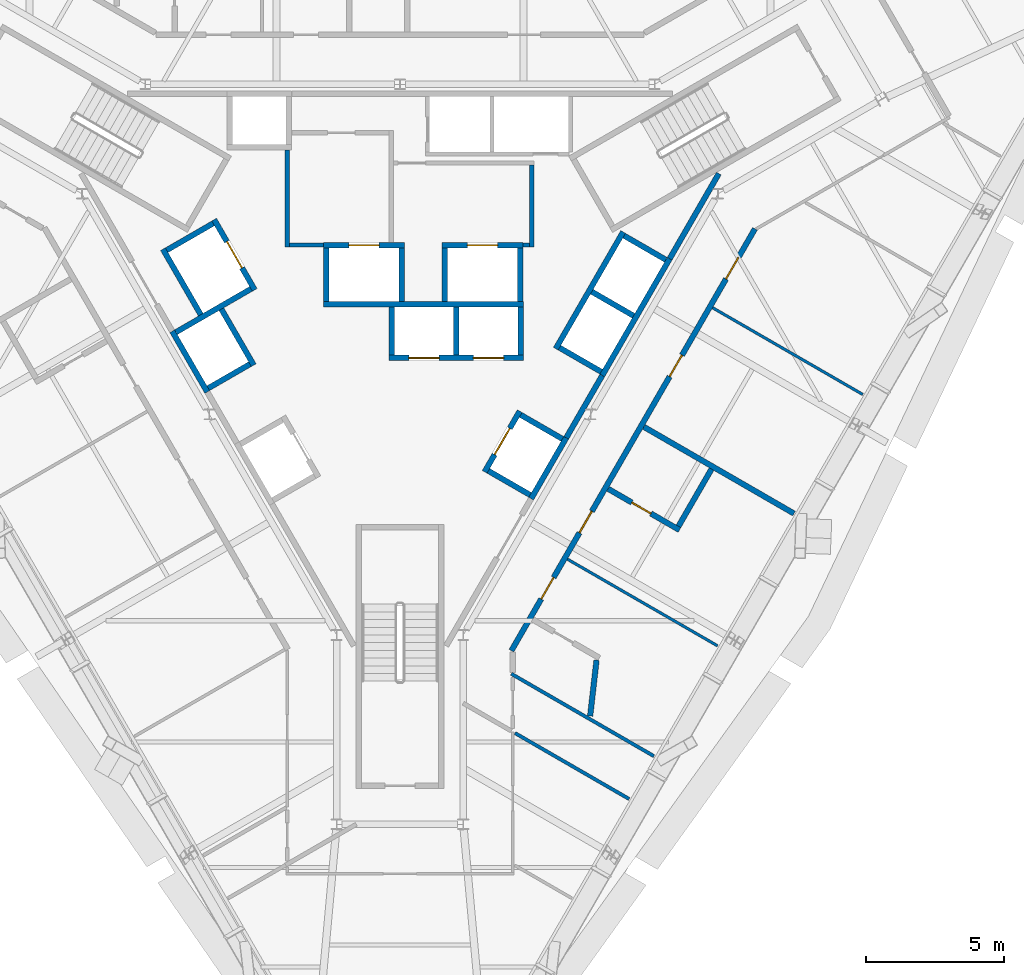
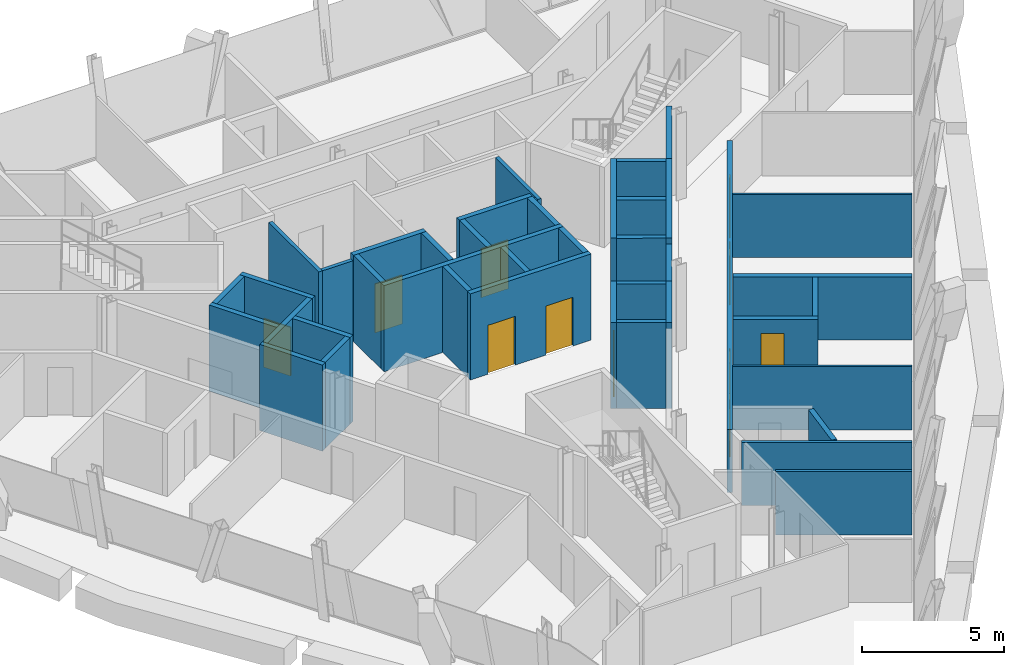
# One storey, part 9 of 13: 42 walls, 11 doors, 11 openings.
"""IFC4 building model written with IfcOpenShell, lengths in metres."""

from ifc_helpers import new_model, si_unit, direction, frame, frame_2d, origin, place, context, subcontext, project, spatial, rectangle, extrude, material, layer, layer_set, type_object, element, fill, save


model = new_model("IFC4")

# Units and contexts
model_context = context("Model", 3, precision=1e-05, world=origin(), true_north=direction((0.0, 1.0)))
body_context = subcontext(model_context, "Body", "Model", "MODEL_VIEW")
ifc_project = project(units=[si_unit("LENGTHUNIT", "METRE"), si_unit("AREAUNIT", "SQUARE_METRE"), si_unit("VOLUMEUNIT", "CUBIC_METRE"), si_unit("PLANEANGLEUNIT", "RADIAN"), si_unit("MASSUNIT", "GRAM", prefix="KILO")], contexts=[model_context])

# Site, building, storey
site_placement = place(None, origin())
site = spatial("IfcSite", under=ifc_project, at=site_placement, CompositionType="ELEMENT")
building_placement = place(site_placement, origin())
building = spatial("IfcBuilding", under=site, at=building_placement, Name="Verrane Prism Tower", CompositionType="ELEMENT")
storey_placement = place(building_placement, frame((0.0, 0.0, 243.39990234375)))
storey = spatial("IfcBuildingStorey", under=building, at=storey_placement, Name="L61", CompositionType="ELEMENT", Elevation=243.39990234375)

# Walls
ifc_material_1 = material(Name="Gypsum board partition", Category="other")
ifc_layer_1 = layer(ifc_material_1, 0.199951171875)
ifc_layer_set_1 = layer_set([ifc_layer_1], Name="CW-200 core boundary wall 2 h")
wall_type_1 = type_object("IfcWallType", Name="CW-200 core boundary wall 2 h", PredefinedType="PARTITIONING", material=ifc_layer_set_1)
wall_1_placement = place(storey_placement, frame((6.0419921875, -4.85498046875, 0.0), z_axis=(0.0, 0.0, 1.0), x_axis=(0.500252727967, 0.865879442048, 0.0)))
element("IfcWall", 1, at=wall_1_placement, inside=storey, type_object=wall_type_1, Name="Core boundary wall CW3-007", PredefinedType="PARTITIONING", context=body_context, shape_type="SweptSolid", body=[
    extrude(rectangle(XDim=2.616943359375, YDim=0.199951171875, at=frame_2d((1.30859375, 0.0))), origin(), (0.0, 0.0, 1.0), 3.4501953125),
])
wall_2_placement = place(storey_placement, frame((9.802978515625, 1.657958984375, 0.0), z_axis=(0.0, 0.0, 1.0), x_axis=(0.499943114462, 0.866058244174, 0.0)))
element("IfcWall", 2, at=wall_2_placement, inside=storey, type_object=wall_type_1, Name="Core boundary wall CW3-008", PredefinedType="PARTITIONING", context=body_context, shape_type="SweptSolid", body=[
    extrude(rectangle(XDim=3.57568359375, YDim=0.199951171875, at=frame_2d((1.787841796875, 0.0))), origin(), (0.0, 0.0, 1.0), 3.4501953125),
])

# Wall, openings, doors
ifc_material_2 = material(Name="Gypsum board shaft wall assembly", Category="other")
ifc_layer_2 = layer(ifc_material_2, 0.199951171875)
ifc_layer_set_2 = layer_set([ifc_layer_2], Name="HW-200 lift shaft wall 2 h")
wall_type_2 = type_object("IfcWallType", Name="HW-200 lift shaft wall 2 h", PredefinedType="PARTITIONING", material=ifc_layer_set_2)
wall_3_placement = place(storey_placement, frame((-0.405029296875, -1.949951171875, 0.0), z_axis=(0.0, 0.0, 1.0), x_axis=(1.0, 0.0, 0.0)))
wall_3 = element("IfcWall", 3, at=wall_3_placement, inside=storey, type_object=wall_type_2, Name="Lift shaft wall", PredefinedType="PARTITIONING", context=body_context, shape_type="SweptSolid", body=[
    extrude(rectangle(XDim=4.900146484375, YDim=0.199951171875, at=frame_2d((2.4501953125, 0.0))), origin(), (0.0, 0.0, 1.0), 3.7001953125),
])
opening_1_placement = place(wall_3_placement, frame((0.72509765625, 0.0, 0.0)))
opening_1 = element("IfcOpeningElement", 4, at=opening_1_placement, cuts=wall_3, Name="Opening D59503", PredefinedType="OPENING", context=body_context, shape_type="SweptSolid", body=[
    extrude(rectangle(XDim=1.10009765625, YDim=2.10009765625, at=frame_2d((0.550048828125, 1.050048828125))), frame((0.0, 0.10986328125, 0.0), z_axis=(0.0, -1.0, 0.0), x_axis=(1.0, 0.0, 0.0)), (0.0, 0.0, 1.0), 0.219970703125),
])
opening_2_placement = place(wall_3_placement, frame((3.074951171875, 0.0, 0.0)))
opening_2 = element("IfcOpeningElement", 5, at=opening_2_placement, cuts=wall_3, Name="Opening D59504", PredefinedType="OPENING", context=body_context, shape_type="SweptSolid", body=[
    extrude(rectangle(XDim=1.10009765625, YDim=2.10009765625, at=frame_2d((0.550048828125, 1.050048828125))), frame((0.0, 0.10986328125, 0.0), z_axis=(0.0, -1.0, 0.0), x_axis=(1.0, 0.0, 0.0)), (0.0, 0.0, 1.0), 0.219970703125),
])
ifc_material_3 = material(Name="Stainless steel sliding landing door", Category="steel")
door_type_1 = type_object("IfcDoorType", Name="LD-1100x2100 lift landing door FD90 sliding", OperationType="NOTDEFINED", PredefinedType="DOOR", material=ifc_material_3)
door_1_placement = place(opening_1_placement, origin())
door_1 = element("IfcDoor", 6, at=door_1_placement, inside=storey, type_object=door_type_1, Name="Bank B lift 1 landing door", OperationType="SLIDING_TO_LEFT", OverallHeight=2.10009765625, OverallWidth=1.10009765625, PredefinedType="DOOR", context=body_context, shape_type="SweptSolid", body=[
    extrude(rectangle(XDim=1.10009765625, YDim=2.10009765625, at=frame_2d((0.550048828125, 1.050048828125))), frame((0.0, 0.02490234375, 0.0), z_axis=(0.0, -1.0, 0.0), x_axis=(1.0, 0.0, 0.0)), (0.0, 0.0, 1.0), 0.050048828125),
])
fill(opening_1, door_1)
door_2_placement = place(opening_2_placement, origin())
door_2 = element("IfcDoor", 7, at=door_2_placement, inside=storey, type_object=door_type_1, Name="Bank B lift 2 landing door", OperationType="SLIDING_TO_RIGHT", OverallHeight=2.10009765625, OverallWidth=1.10009765625, PredefinedType="DOOR", context=body_context, shape_type="SweptSolid", body=[
    extrude(rectangle(XDim=1.10009765625, YDim=2.10009765625, at=frame_2d((0.550048828125, 1.050048828125))), frame((0.0, 0.02490234375, 0.0), z_axis=(0.0, -1.0, 0.0), x_axis=(1.0, 0.0, 0.0)), (0.0, 0.0, 1.0), 0.050048828125),
])
fill(opening_2, door_2)

# Wall
wall_4_placement = place(storey_placement, frame((-2.784912109375, 0.0, 0.0), z_axis=(0.0, 0.0, 1.0), x_axis=(1.0, 0.0, 0.0)))
element("IfcWall", 8, at=wall_4_placement, inside=storey, type_object=wall_type_2, Name="Lift shaft wall", PredefinedType="PARTITIONING", context=body_context, shape_type="SweptSolid", body=[
    extrude(rectangle(XDim=7.280029296875, YDim=0.199951171875, at=frame_2d((3.64013671875, 0.0))), origin(), (0.0, 0.0, 1.0), 3.7001953125),
])

# Wall, opening, door
wall_5_placement = place(storey_placement, frame((-2.784912109375, 2.14990234375, 0.0), z_axis=(0.0, 0.0, 1.0), x_axis=(1.0, 0.0, 0.0)))
wall_5 = element("IfcWall", 9, at=wall_5_placement, inside=storey, type_object=wall_type_2, Name="Lift shaft wall", PredefinedType="PARTITIONING", context=body_context, shape_type="SweptSolid", body=[
    extrude(rectangle(XDim=2.949951171875, YDim=0.199951171875, at=frame_2d((1.47509765625, 0.0))), origin(), (0.0, 0.0, 1.0), 3.7001953125),
])
opening_3_placement = place(wall_5_placement, frame((0.925048828125, 0.0, 0.0)))
opening_3 = element("IfcOpeningElement", 10, at=opening_3_placement, cuts=wall_5, Name="Opening D59507", PredefinedType="OPENING", context=body_context, shape_type="SweptSolid", body=[
    extrude(rectangle(XDim=1.10009765625, YDim=2.10009765625, at=frame_2d((0.550048828125, 1.050048828125))), frame((0.0, 0.10986328125, 0.0), z_axis=(0.0, -1.0, 0.0), x_axis=(1.0, 0.0, 0.0)), (0.0, 0.0, 1.0), 0.219970703125),
])
door_3_placement = place(opening_3_placement, origin())
door_3 = element("IfcDoor", 11, at=door_3_placement, inside=storey, type_object=door_type_1, Name="Fire service lift 1 landing door", OperationType="SLIDING_TO_LEFT", OverallHeight=2.10009765625, OverallWidth=1.10009765625, PredefinedType="DOOR", context=body_context, shape_type="SweptSolid", body=[
    extrude(rectangle(XDim=1.10009765625, YDim=2.10009765625, at=frame_2d((0.550048828125, 1.050048828125))), frame((0.0, 0.02490234375, 0.0), z_axis=(0.0, -1.0, 0.0), x_axis=(1.0, 0.0, 0.0)), (0.0, 0.0, 1.0), 0.050048828125),
])
fill(opening_3, door_3)

wall_6_placement = place(storey_placement, frame((1.52490234375, 2.14990234375, 0.0), z_axis=(0.0, 0.0, 1.0), x_axis=(1.0, 0.0, 0.0)))
wall_6 = element("IfcWall", 12, at=wall_6_placement, inside=storey, type_object=wall_type_2, Name="Lift shaft wall", PredefinedType="PARTITIONING", context=body_context, shape_type="SweptSolid", body=[
    extrude(rectangle(XDim=2.9501953125, YDim=0.199951171875, at=frame_2d((1.47509765625, 0.0))), origin(), (0.0, 0.0, 1.0), 3.7001953125),
])
opening_4_placement = place(wall_6_placement, frame((0.925048828125, 0.0, 0.0)))
opening_4 = element("IfcOpeningElement", 13, at=opening_4_placement, cuts=wall_6, Name="Opening D59508", PredefinedType="OPENING", context=body_context, shape_type="SweptSolid", body=[
    extrude(rectangle(XDim=1.10009765625, YDim=2.10009765625, at=frame_2d((0.550048828125, 1.050048828125))), frame((0.0, 0.10986328125, 0.0), z_axis=(0.0, -1.0, 0.0), x_axis=(1.0, 0.0, 0.0)), (0.0, 0.0, 1.0), 0.219970703125),
])
door_4_placement = place(opening_4_placement, origin())
door_4 = element("IfcDoor", 14, at=door_4_placement, inside=storey, type_object=door_type_1, Name="Fire service lift 2 landing door", OperationType="SLIDING_TO_RIGHT", OverallHeight=2.10009765625, OverallWidth=1.10009765625, PredefinedType="DOOR", context=body_context, shape_type="SweptSolid", body=[
    extrude(rectangle(XDim=1.10009765625, YDim=2.10009765625, at=frame_2d((0.550048828125, 1.050048828125))), frame((0.0, 0.02490234375, 0.0), z_axis=(0.0, -1.0, 0.0), x_axis=(1.0, 0.0, 0.0)), (0.0, 0.0, 1.0), 0.050048828125),
])
fill(opening_4, door_4)

# Walls
wall_7_placement = place(storey_placement, frame((-6.9697265625, -3.048095703125, 0.0), z_axis=(0.0, 0.0, 1.0), x_axis=(0.866036909293, 0.499980071345, 0.0)))
element("IfcWall", 15, at=wall_7_placement, inside=storey, type_object=wall_type_2, Name="Lift shaft wall", PredefinedType="PARTITIONING", context=body_context, shape_type="SweptSolid", body=[
    extrude(rectangle(XDim=1.75, YDim=0.199951171875, at=frame_2d((0.875, 0.0))), origin(), (0.0, 0.0, 1.0), 3.7001953125),
])
wall_8_placement = place(storey_placement, frame((-8.14453125, -1.012939453125, 0.0), z_axis=(0.0, 0.0, 1.0), x_axis=(0.866016494683, 0.500015430699, 0.0)))
element("IfcWall", 16, at=wall_8_placement, inside=storey, type_object=wall_type_2, Name="Lift shaft wall", PredefinedType="PARTITIONING", context=body_context, shape_type="SweptSolid", body=[
    extrude(rectangle(XDim=3.14990234375, YDim=0.199951171875, at=frame_2d((1.574951171875, 0.0))), origin(), (0.0, 0.0, 1.0), 3.7001953125),
])
wall_9_placement = place(storey_placement, frame((-8.48046875, 1.968505859375, 0.0), z_axis=(0.0, 0.0, 1.0), x_axis=(0.866000020948, 0.500043961785, 0.0)))
element("IfcWall", 17, at=wall_9_placement, inside=storey, type_object=wall_type_2, Name="Lift shaft wall", PredefinedType="PARTITIONING", context=body_context, shape_type="SweptSolid", body=[
    extrude(rectangle(XDim=1.949951171875, YDim=0.199951171875, at=frame_2d((0.97509765625, 0.0))), origin(), (0.0, 0.0, 1.0), 3.7001953125),
])
wall_10_placement = place(storey_placement, frame((4.766357421875, -7.064697265625, 0.0), z_axis=(0.0, 0.0, 1.0), x_axis=(0.499948979701, 0.866054858364, 0.0)))
element("IfcWall", 18, at=wall_10_placement, inside=storey, type_object=wall_type_2, Name="Lift shaft wall", PredefinedType="PARTITIONING", context=body_context, shape_type="SweptSolid", body=[
    extrude(rectangle(XDim=2.550048828125, YDim=0.199951171875, at=frame_2d((1.27490234375, 0.0))), origin(), (0.0, 0.0, 1.0), 3.7001953125),
])
wall_11_placement = place(storey_placement, frame((7.351318359375, -2.587158203125, 0.0), z_axis=(0.0, 0.0, 1.0), x_axis=(0.500002801628, 0.866023786258, 0.0)))
element("IfcWall", 19, at=wall_11_placement, inside=storey, type_object=wall_type_2, Name="Lift shaft wall", PredefinedType="PARTITIONING", context=body_context, shape_type="SweptSolid", body=[
    extrude(rectangle(XDim=4.89990234375, YDim=0.199951171875, at=frame_2d((2.449951171875, 0.0))), origin(), (0.0, 0.0, 1.0), 3.7001953125),
])

# Wall, opening, door
wall_12_placement = place(storey_placement, frame((3.077392578125, -6.089599609375, 0.0), z_axis=(0.0, 0.0, 1.0), x_axis=(0.500062241894, 0.865989465428, 0.0)))
wall_12 = element("IfcWall", 20, at=wall_12_placement, inside=storey, type_object=wall_type_2, Name="Lift shaft wall", PredefinedType="PARTITIONING", context=body_context, shape_type="SweptSolid", body=[
    extrude(rectangle(XDim=2.550048828125, YDim=0.199951171875, at=frame_2d((1.27490234375, 0.0))), origin(), (0.0, 0.0, 1.0), 3.7001953125),
])
opening_5_placement = place(wall_12_placement, frame((0.72509765625, 0.0, 0.0)))
opening_5 = element("IfcOpeningElement", 21, at=opening_5_placement, cuts=wall_12, Name="Opening D59505", PredefinedType="OPENING", context=body_context, shape_type="SweptSolid", body=[
    extrude(rectangle(XDim=1.10009765625, YDim=2.10009765625, at=frame_2d((0.550048828125, 1.050048828125))), frame((0.0, 0.10986328125, 0.0), z_axis=(0.0, -1.0, 0.0), x_axis=(1.0, 0.0, 0.0)), (0.0, 0.0, 1.0), 0.219970703125),
])
door_5_placement = place(opening_5_placement, origin())
door_5 = element("IfcDoor", 22, at=door_5_placement, inside=storey, type_object=door_type_1, Name="Bank B lift 3 landing door", OperationType="SLIDING_TO_LEFT", OverallHeight=2.10009765625, OverallWidth=1.10009765625, PredefinedType="DOOR", context=body_context, shape_type="SweptSolid", body=[
    extrude(rectangle(XDim=1.10009765625, YDim=2.10009765625, at=frame_2d((0.550048828125, 1.050048828125))), frame((0.0, 0.02490234375, 0.0), z_axis=(0.0, -1.0, 0.0), x_axis=(1.0, 0.0, 0.0)), (0.0, 0.0, 1.0), 0.050048828125),
])
fill(opening_5, door_5)

# Walls
wall_13_placement = place(storey_placement, frame((5.66259765625, -1.6123046875, 0.0), z_axis=(0.0, 0.0, 1.0), x_axis=(0.49998122708, 0.866036242063, 0.0)))
element("IfcWall", 23, at=wall_13_placement, inside=storey, type_object=wall_type_2, Name="Lift shaft wall", PredefinedType="PARTITIONING", context=body_context, shape_type="SweptSolid", body=[
    extrude(rectangle(XDim=4.900146484375, YDim=0.199951171875, at=frame_2d((2.4501953125, 0.0))), origin(), (0.0, 0.0, 1.0), 3.7001953125),
])
wall_14_placement = place(storey_placement, frame((4.39501953125, -1.85009765625, 0.0), z_axis=(0.0, 0.0, 1.0), x_axis=(0.0, 1.0, 0.0)))
element("IfcWall", 24, at=wall_14_placement, inside=storey, type_object=wall_type_2, Name="Lift shaft wall", PredefinedType="PARTITIONING", context=body_context, shape_type="SweptSolid", body=[
    extrude(rectangle(XDim=1.75, YDim=0.199951171875, at=frame_2d((0.875, 0.0))), origin(), (0.0, 0.0, 1.0), 3.7001953125),
])
wall_15_placement = place(storey_placement, frame((4.375, 0.10009765625, 0.0), z_axis=(0.0, 0.0, 1.0), x_axis=(0.0, 1.0, 0.0)))
element("IfcWall", 25, at=wall_15_placement, inside=storey, type_object=wall_type_2, Name="Lift shaft wall", PredefinedType="PARTITIONING", context=body_context, shape_type="SweptSolid", body=[
    extrude(rectangle(XDim=1.949951171875, YDim=0.199951171875, at=frame_2d((0.97509765625, 0.0))), origin(), (0.0, 0.0, 1.0), 3.7001953125),
])
wall_16_placement = place(storey_placement, frame((2.044921875, -1.85009765625, 0.0), z_axis=(0.0, 0.0, 1.0), x_axis=(0.0, 1.0, 0.0)))
element("IfcWall", 26, at=wall_16_placement, inside=storey, type_object=wall_type_2, Name="Lift shaft wall", PredefinedType="PARTITIONING", context=body_context, shape_type="SweptSolid", body=[
    extrude(rectangle(XDim=1.75, YDim=0.199951171875, at=frame_2d((0.875, 0.0))), origin(), (0.0, 0.0, 1.0), 3.7001953125),
])
for number, where, z_axis, x_axis, name in (
    (27, (1.625, 0.10009765625, 0.0), (0.0, 0.0, 1.0), (0.0, 1.0, 0.0), "Lift shaft wall"),
    (28, (0.06494140625, 0.10009765625, 0.0), (0.0, 0.0, 1.0), (0.0, 1.0, 0.0), "Lift shaft wall"),
):
    element("IfcWall", number, at=place(storey_placement, frame(where, z_axis=z_axis, x_axis=x_axis)), inside=storey, type_object=wall_type_2, Name=name, PredefinedType="PARTITIONING", context=body_context, shape_type="SweptSolid", body=[
        extrude(rectangle(XDim=1.949951171875, YDim=0.199951171875, at=frame_2d((0.97509765625, 0.0))), origin(), (0.0, 0.0, 1.0), 3.7001953125),
    ])
wall_17_placement = place(storey_placement, frame((-0.304931640625, -1.85009765625, 0.0), z_axis=(0.0, 0.0, 1.0), x_axis=(0.0, 1.0, 0.0)))
element("IfcWall", 29, at=wall_17_placement, inside=storey, type_object=wall_type_2, Name="Lift shaft wall", PredefinedType="PARTITIONING", context=body_context, shape_type="SweptSolid", body=[
    extrude(rectangle(XDim=1.75, YDim=0.199951171875, at=frame_2d((0.875, 0.0))), origin(), (0.0, 0.0, 1.0), 3.7001953125),
])
wall_18_placement = place(storey_placement, frame((-2.68505859375, 0.10009765625, 0.0), z_axis=(0.0, 0.0, 1.0), x_axis=(0.0, 1.0, 0.0)))
element("IfcWall", 30, at=wall_18_placement, inside=storey, type_object=wall_type_2, Name="Lift shaft wall", PredefinedType="PARTITIONING", context=body_context, shape_type="SweptSolid", body=[
    extrude(rectangle(XDim=1.949951171875, YDim=0.199951171875, at=frame_2d((0.97509765625, 0.0))), origin(), (0.0, 0.0, 1.0), 3.7001953125),
])

# Wall, opening, door
wall_19_placement = place(storey_placement, frame((-5.280029296875, 0.525390625, 0.0), z_axis=(0.0, 0.0, 1.0), x_axis=(-0.500037662692, 0.866003658127, 0.0)))
wall_19 = element("IfcWall", 31, at=wall_19_placement, inside=storey, type_object=wall_type_2, Name="Lift shaft wall", PredefinedType="PARTITIONING", context=body_context, shape_type="SweptSolid", body=[
    extrude(rectangle(XDim=2.949951171875, YDim=0.199951171875, at=frame_2d((1.47509765625, 0.0))), origin(), (0.0, 0.0, 1.0), 3.7001953125),
])
opening_6_placement = place(wall_19_placement, frame((0.925048828125, 0.0, 0.0)))
opening_6 = element("IfcOpeningElement", 32, at=opening_6_placement, cuts=wall_19, Name="Opening D59509", PredefinedType="OPENING", context=body_context, shape_type="SweptSolid", body=[
    extrude(rectangle(XDim=1.10009765625, YDim=2.10009765625, at=frame_2d((0.550048828125, 1.050048828125))), frame((0.0, 0.10986328125, 0.0), z_axis=(0.0, -1.0, 0.0), x_axis=(1.0, 0.0, 0.0)), (0.0, 0.0, 1.0), 0.219970703125),
])
door_6_placement = place(opening_6_placement, origin())
door_6 = element("IfcDoor", 33, at=door_6_placement, inside=storey, type_object=door_type_1, Name="Service lift 1 landing door", OperationType="SLIDING_TO_LEFT", OverallHeight=2.10009765625, OverallWidth=1.10009765625, PredefinedType="DOOR", context=body_context, shape_type="SweptSolid", body=[
    extrude(rectangle(XDim=1.10009765625, YDim=2.10009765625, at=frame_2d((0.550048828125, 1.050048828125))), frame((0.0, 0.02490234375, 0.0), z_axis=(0.0, -1.0, 0.0), x_axis=(1.0, 0.0, 0.0)), (0.0, 0.0, 1.0), 0.050048828125),
])
fill(opening_6, door_6)

# Walls
wall_20_placement = place(storey_placement, frame((-5.317626953125, -2.209716796875, 0.0), z_axis=(0.0, 0.0, 1.0), x_axis=(-0.499938297808, 0.866061024631, 0.0)))
element("IfcWall", 34, at=wall_20_placement, inside=storey, type_object=wall_type_2, Name="Lift shaft wall", PredefinedType="PARTITIONING", context=body_context, shape_type="SweptSolid", body=[
    extrude(rectangle(XDim=2.349853515625, YDim=0.199951171875, at=frame_2d((1.1748046875, 0.0))), origin(), (0.0, 0.0, 1.0), 3.7001953125),
])
wall_21_placement = place(storey_placement, frame((-7.241943359375, -0.37646484375, 0.0), z_axis=(0.0, 0.0, 1.0), x_axis=(-0.499996545922, 0.866027397988, 0.0)))
element("IfcWall", 35, at=wall_21_placement, inside=storey, type_object=wall_type_2, Name="Lift shaft wall", PredefinedType="PARTITIONING", context=body_context, shape_type="SweptSolid", body=[
    extrude(rectangle(XDim=2.75, YDim=0.199951171875, at=frame_2d((1.375, 0.0))), origin(), (0.0, 0.0, 1.0), 3.7001953125),
])
wall_22_placement = place(storey_placement, frame((-7.00634765625, -3.184814453125, 0.0), z_axis=(0.0, 0.0, 1.0), x_axis=(-0.499990435942, 0.866030925526, 0.0)))
element("IfcWall", 36, at=wall_22_placement, inside=storey, type_object=wall_type_2, Name="Lift shaft wall", PredefinedType="PARTITIONING", context=body_context, shape_type="SweptSolid", body=[
    extrude(rectangle(XDim=2.5498046875, YDim=0.199951171875, at=frame_2d((1.27490234375, 0.0))), origin(), (0.0, 0.0, 1.0), 3.7001953125),
])
wall_23_placement = place(storey_placement, frame((9.66455078125, 1.61962890625, 0.0), z_axis=(0.0, 0.0, 1.0), x_axis=(-0.866002029911, 0.500040482552, 0.0)))
element("IfcWall", 37, at=wall_23_placement, inside=storey, type_object=wall_type_2, Name="Lift shaft wall", PredefinedType="PARTITIONING", context=body_context, shape_type="SweptSolid", body=[
    extrude(rectangle(XDim=1.749755859375, YDim=0.199951171875, at=frame_2d((0.875, 0.0))), origin(), (0.0, 0.0, 1.0), 3.7001953125),
])
for number, where, z_axis, x_axis, name in (
    (38, (8.48974609375, -0.41552734375, 0.0), (0.0, 0.0, 1.0), (-0.866036909293, 0.499980071345, 0.0), "Lift shaft wall"),
    (39, (7.314697265625, -2.45068359375, 0.0), (0.0, 0.0, 1.0), (-0.866036909293, 0.499980071345, 0.0), "Lift shaft wall"),
):
    element("IfcWall", number, at=place(storey_placement, frame(where, z_axis=z_axis, x_axis=x_axis)), inside=storey, type_object=wall_type_2, Name=name, PredefinedType="PARTITIONING", context=body_context, shape_type="SweptSolid", body=[
        extrude(rectangle(XDim=1.75, YDim=0.199951171875, at=frame_2d((0.875, 0.0))), origin(), (0.0, 0.0, 1.0), 3.7001953125),
    ])
wall_24_placement = place(storey_placement, frame((5.904541015625, -4.892822265625, 0.0), z_axis=(0.0, 0.0, 1.0), x_axis=(-0.866002029911, 0.500040482552, 0.0)))
element("IfcWall", 40, at=wall_24_placement, inside=storey, type_object=wall_type_2, Name="Lift shaft wall", PredefinedType="PARTITIONING", context=body_context, shape_type="SweptSolid", body=[
    extrude(rectangle(XDim=1.749755859375, YDim=0.199951171875, at=frame_2d((0.875, 0.0))), origin(), (0.0, 0.0, 1.0), 3.7001953125),
])
wall_25_placement = place(storey_placement, frame((4.729736328125, -6.927978515625, 0.0), z_axis=(0.0, 0.0, 1.0), x_axis=(-0.866036909293, 0.499980071345, 0.0)))
element("IfcWall", 41, at=wall_25_placement, inside=storey, type_object=wall_type_2, Name="Lift shaft wall", PredefinedType="PARTITIONING", context=body_context, shape_type="SweptSolid", body=[
    extrude(rectangle(XDim=1.75, YDim=0.199951171875, at=frame_2d((0.875, 0.0))), origin(), (0.0, 0.0, 1.0), 3.7001953125),
])
ifc_material_4 = material(Name="Gypsum board partition", Category="other")
ifc_layer_3 = layer(ifc_material_4, 0.14990234375)
ifc_layer_set_3 = layer_set([ifc_layer_3], Name="LF-150 firefighting lobby wall 1 h")
wall_type_3 = type_object("IfcWallType", Name="LF-150 firefighting lobby wall 1 h", PredefinedType="PARTITIONING", material=ifc_layer_set_3)
wall_26_placement = place(storey_placement, frame((-4.10009765625, 2.0849609375, 0.0), z_axis=(0.0, 0.0, 1.0), x_axis=(0.0, 1.0, 0.0)))
element("IfcWall", 42, at=wall_26_placement, inside=storey, type_object=wall_type_3, Name="Firefighting lobby wall LF1-001", PredefinedType="PARTITIONING", context=body_context, shape_type="SweptSolid", body=[
    extrude(rectangle(XDim=3.52294921875, YDim=0.14990234375, at=frame_2d((1.761474609375, 0.0))), origin(), (0.0, 0.0, 1.0), 3.4501953125),
])
wall_27_placement = place(storey_placement, frame((-4.02490234375, 2.159912109375, 0.0), z_axis=(0.0, 0.0, 1.0), x_axis=(1.0, 0.0, 0.0)))
element("IfcWall", 43, at=wall_27_placement, inside=storey, type_object=wall_type_3, Name="Firefighting lobby wall LF1-002", PredefinedType="PARTITIONING", context=body_context, shape_type="SweptSolid", body=[
    extrude(rectangle(XDim=1.23779296875, YDim=0.14990234375, at=frame_2d((0.618896484375, 0.0))), origin(), (0.0, 0.0, 1.0), 3.4501953125),
])
wall_28_placement = place(storey_placement, frame((4.47705078125, 2.159912109375, 0.0), z_axis=(0.0, 0.0, 1.0), x_axis=(1.0, 0.0, 0.0)))
element("IfcWall", 44, at=wall_28_placement, inside=storey, type_object=wall_type_3, Name="Firefighting lobby wall LF1-006", PredefinedType="PARTITIONING", context=body_context, shape_type="SweptSolid", body=[
    extrude(rectangle(XDim=0.238037109375, YDim=0.14990234375, at=frame_2d((0.119140625, 0.0))), origin(), (0.0, 0.0, 1.0), 3.4501953125),
])
wall_29_placement = place(storey_placement, frame((4.7900390625, 2.0849609375, 0.0), z_axis=(0.0, 0.0, 1.0), x_axis=(0.0, 1.0, 0.0)))
element("IfcWall", 45, at=wall_29_placement, inside=storey, type_object=wall_type_3, Name="Firefighting lobby wall LF1-007", PredefinedType="PARTITIONING", context=body_context, shape_type="SweptSolid", body=[
    extrude(rectangle(XDim=2.97998046875, YDim=0.14990234375, at=frame_2d((1.489990234375, 0.0))), origin(), (0.0, 0.0, 1.0), 3.4501953125),
])
ifc_material_5 = material(Name="Gypsum board partition", Category="other")
ifc_layer_4 = layer(ifc_material_5, 0.10009765625)
ifc_layer_set_4 = layer_set([ifc_layer_4], Name="PW-100 room partition")
wall_type_4 = type_object("IfcWallType", Name="PW-100 room partition", PredefinedType="PARTITIONING", material=ifc_layer_set_4)
for number, where, z_axis, x_axis, name in (
    (46, (6.085693359375, -9.262939453125, 0.0), (0.0, 0.0, 1.0), (0.866070792983, -0.499921375361, 0.0), "Room partition 042"),
    (47, (11.362548828125, -0.123046875, 0.0), (0.0, 0.0, 1.0), (0.866027573341, -0.4999962422, 0.0), "Room partition 049"),
):
    element("IfcWall", number, at=place(storey_placement, frame(where, z_axis=z_axis, x_axis=x_axis)), inside=storey, type_object=wall_type_4, Name=name, PredefinedType="PARTITIONING", context=body_context, shape_type="SweptSolid", body=[
        extrude(rectangle(XDim=6.3037109375, YDim=0.10009765625, at=frame_2d((3.15185546875, 0.0))), origin(), (0.0, 0.0, 1.0), 2.713134765625),
    ])
ifc_material_6 = material(Name="Gypsum board partition", Category="other")
ifc_layer_5 = layer(ifc_material_6, 0.125)
ifc_layer_set_5 = layer_set([ifc_layer_5], Name="PW-125 corridor wall 1 h")
wall_type_5 = type_object("IfcWallType", Name="PW-125 corridor wall 1 h", PredefinedType="PARTITIONING", material=ifc_layer_set_5)
wall_30_placement = place(storey_placement, frame((4.18017578125, -15.585205078125, 0.0), z_axis=(0.0, 0.0, 1.0), x_axis=(0.865980282967, -0.500078143405, 0.0)))
element("IfcWall", 48, at=wall_30_placement, inside=storey, type_object=wall_type_5, Name="Corridor wall 037", PredefinedType="PARTITIONING", context=body_context, shape_type="SweptSolid", body=[
    extrude(rectangle(XDim=4.792724609375, YDim=0.125, at=frame_2d((2.396484375, 0.0))), origin(), (0.0, 0.0, 1.0), 2.713134765625),
])
wall_31_placement = place(storey_placement, frame((4.0458984375, -13.4296875, 0.0), z_axis=(0.0, 0.0, 1.0), x_axis=(0.866028717572, -0.499994260308, 0.0)))
element("IfcWall", 49, at=wall_31_placement, inside=storey, type_object=wall_type_5, Name="Corridor wall 039", PredefinedType="PARTITIONING", context=body_context, shape_type="SweptSolid", body=[
    extrude(rectangle(XDim=5.98681640625, YDim=0.125, at=frame_2d((2.993408203125, 0.0))), origin(), (0.0, 0.0, 1.0), 2.713134765625),
])

# Wall, openings, doors
ifc_material_7 = material(Name="Gypsum board partition", Category="other")
ifc_layer_6 = layer(ifc_material_7, 0.199951171875)
ifc_layer_set_6 = layer_set([ifc_layer_6], Name="PW-200 plumbing wall")
wall_type_6 = type_object("IfcWallType", Name="PW-200 plumbing wall", PredefinedType="PARTITIONING", material=ifc_layer_set_6)
wall_32_placement = place(storey_placement, frame((12.903076171875, 2.745361328125, 0.0), z_axis=(0.0, 0.0, 1.0), x_axis=(-0.499997769292, -0.86602669168, 0.0)))
wall_32 = element("IfcWall", 50, at=wall_32_placement, inside=storey, type_object=wall_type_6, Name="Plumbing wall 040", PredefinedType="PARTITIONING", context=body_context, shape_type="SweptSolid", body=[
    extrude(rectangle(XDim=17.7060546875, YDim=0.199951171875, at=frame_2d((8.85302734375, 0.0))), origin(), (0.0, 0.0, 1.0), 2.713134765625),
])
opening_7_placement = place(wall_32_placement, frame((14.636962890625, 0.0, 0.0)))
opening_7 = element("IfcOpeningElement", 51, at=opening_7_placement, cuts=wall_32, Name="Opening D59022", PredefinedType="OPENING", context=body_context, shape_type="SweptSolid", body=[
    extrude(rectangle(XDim=0.89990234375, YDim=2.10009765625, at=frame_2d((0.449951171875, 1.050048828125))), frame((0.0, 0.10986328125, 0.0), z_axis=(0.0, -1.0, 0.0), x_axis=(1.0, 0.0, 0.0)), (0.0, 0.0, 1.0), 0.219970703125),
])
opening_8_placement = place(wall_32_placement, frame((11.858154296875, 0.0, 0.0)))
opening_8 = element("IfcOpeningElement", 52, at=opening_8_placement, cuts=wall_32, Name="Opening D59024", PredefinedType="OPENING", context=body_context, shape_type="SweptSolid", body=[
    extrude(rectangle(XDim=0.89990234375, YDim=2.10009765625, at=frame_2d((0.449951171875, 1.050048828125))), frame((0.0, 0.10986328125, 0.0), z_axis=(0.0, -1.0, 0.0), x_axis=(1.0, 0.0, 0.0)), (0.0, 0.0, 1.0), 0.219970703125),
])
opening_9_placement = place(wall_32_placement, frame((5.302978515625, 0.0, 0.0)))
opening_9 = element("IfcOpeningElement", 53, at=opening_9_placement, cuts=wall_32, Name="Opening D59026", PredefinedType="OPENING", context=body_context, shape_type="SweptSolid", body=[
    extrude(rectangle(XDim=0.89990234375, YDim=2.10009765625, at=frame_2d((0.449951171875, 1.050048828125))), frame((0.0, 0.10986328125, 0.0), z_axis=(0.0, -1.0, 0.0), x_axis=(1.0, 0.0, 0.0)), (0.0, 0.0, 1.0), 0.219970703125),
])
opening_10_placement = place(wall_32_placement, frame((1.2041015625, 0.0, 0.0)))
opening_10 = element("IfcOpeningElement", 54, at=opening_10_placement, cuts=wall_32, Name="Opening D59027", PredefinedType="OPENING", context=body_context, shape_type="SweptSolid", body=[
    extrude(rectangle(XDim=0.89990234375, YDim=2.10009765625, at=frame_2d((0.449951171875, 1.050048828125))), frame((0.0, 0.10986328125, 0.0), z_axis=(0.0, -1.0, 0.0), x_axis=(1.0, 0.0, 0.0)), (0.0, 0.0, 1.0), 0.219970703125),
])
ifc_material_8 = material(Name="Timber veneered door leaf", Category="wood")
door_type_2 = type_object("IfcDoorType", Name="DR-900x2100 single leaf inner", OperationType="NOTDEFINED", PredefinedType="DOOR", material=ifc_material_8)
door_7_placement = place(opening_7_placement, origin())
door_7 = element("IfcDoor", 55, at=door_7_placement, inside=storey, type_object=door_type_2, Name="Bedroom door", OperationType="SINGLE_SWING_LEFT", OverallHeight=2.10009765625, OverallWidth=0.89990234375, PredefinedType="DOOR", context=body_context, shape_type="SweptSolid", body=[
    extrude(rectangle(XDim=0.89990234375, YDim=2.10009765625, at=frame_2d((0.449951171875, 1.050048828125))), frame((0.0, 0.02490234375, 0.0), z_axis=(0.0, -1.0, 0.0), x_axis=(1.0, 0.0, 0.0)), (0.0, 0.0, 1.0), 0.050048828125),
])
fill(opening_7, door_7)
door_8_placement = place(opening_8_placement, origin())
door_8 = element("IfcDoor", 56, at=door_8_placement, inside=storey, type_object=door_type_2, Name="Master Bedroom door", OperationType="SINGLE_SWING_LEFT", OverallHeight=2.10009765625, OverallWidth=0.89990234375, PredefinedType="DOOR", context=body_context, shape_type="SweptSolid", body=[
    extrude(rectangle(XDim=0.89990234375, YDim=2.10009765625, at=frame_2d((0.449951171875, 1.050048828125))), frame((0.0, 0.02490234375, 0.0), z_axis=(0.0, -1.0, 0.0), x_axis=(1.0, 0.0, 0.0)), (0.0, 0.0, 1.0), 0.050048828125),
])
fill(opening_8, door_8)
ifc_material_9 = material(Name="Timber veneered door leaf", Category="wood")
door_type_3 = type_object("IfcDoorType", Name="DR-900x2100 single leaf unit", OperationType="NOTDEFINED", PredefinedType="DOOR", material=ifc_material_9)
door_9_placement = place(opening_9_placement, origin())
door_9 = element("IfcDoor", 57, at=door_9_placement, inside=storey, type_object=door_type_3, Name="Study door", OperationType="SINGLE_SWING_LEFT", OverallHeight=2.10009765625, OverallWidth=0.89990234375, PredefinedType="DOOR", context=body_context, shape_type="SweptSolid", body=[
    extrude(rectangle(XDim=0.89990234375, YDim=2.10009765625, at=frame_2d((0.449951171875, 1.050048828125))), frame((0.0, 0.02490234375, 0.0), z_axis=(0.0, -1.0, 0.0), x_axis=(1.0, 0.0, 0.0)), (0.0, 0.0, 1.0), 0.050048828125),
])
fill(opening_9, door_9)
door_10_placement = place(opening_10_placement, origin())
door_10 = element("IfcDoor", 58, at=door_10_placement, inside=storey, type_object=door_type_3, Name="Study door", OperationType="SINGLE_SWING_RIGHT", OverallHeight=2.10009765625, OverallWidth=0.89990234375, PredefinedType="DOOR", context=body_context, shape_type="SweptSolid", body=[
    extrude(rectangle(XDim=0.89990234375, YDim=2.10009765625, at=frame_2d((0.449951171875, 1.050048828125))), frame((0.0, 0.02490234375, 0.0), z_axis=(0.0, -1.0, 0.0), x_axis=(1.0, 0.0, 0.0)), (0.0, 0.0, 1.0), 0.050048828125),
])
fill(opening_10, door_10)

# Wall
wall_33_placement = place(storey_placement, frame((6.91259765625, -14.966064453125, 0.0), z_axis=(0.0, 0.0, 1.0), x_axis=(0.113650855348, 0.993520751207, 0.0)))
element("IfcWall", 59, at=wall_33_placement, inside=storey, type_object=wall_type_6, Name="Plumbing wall 043", PredefinedType="PARTITIONING", context=body_context, shape_type="SweptSolid", body=[
    extrude(rectangle(XDim=2.047119140625, YDim=0.199951171875, at=frame_2d((1.0234375, 0.0))), origin(), (0.0, 0.0, 1.0), 2.713134765625),
])

# Wall, opening, door
wall_34_placement = place(storey_placement, frame((7.56689453125, -6.70654296875, 0.0), z_axis=(0.0, 0.0, 1.0), x_axis=(0.86601725921, -0.500014106551, 0.0)))
wall_34 = element("IfcWall", 60, at=wall_34_placement, inside=storey, type_object=wall_type_6, Name="Plumbing wall 044", PredefinedType="PARTITIONING", context=body_context, shape_type="SweptSolid", body=[
    extrude(rectangle(XDim=2.9951171875, YDim=0.199951171875, at=frame_2d((1.49755859375, 0.0))), origin(), (0.0, 0.0, 1.0), 2.713134765625),
])
opening_11_placement = place(wall_34_placement, frame((0.9951171875, 0.0, 0.0)))
opening_11 = element("IfcOpeningElement", 61, at=opening_11_placement, cuts=wall_34, Name="Opening D59025", PredefinedType="OPENING", context=body_context, shape_type="SweptSolid", body=[
    extrude(rectangle(XDim=0.800048828125, YDim=2.10009765625, at=frame_2d((0.39990234375, 1.050048828125))), frame((0.0, 0.10986328125, 0.0), z_axis=(0.0, -1.0, 0.0), x_axis=(1.0, 0.0, 0.0)), (0.0, 0.0, 1.0), 0.219970703125),
])
ifc_material_10 = material(Name="Timber veneered door leaf", Category="wood")
door_type_4 = type_object("IfcDoorType", Name="DR-800x2100 single leaf bath", OperationType="NOTDEFINED", PredefinedType="DOOR", material=ifc_material_10)
door_11_placement = place(opening_11_placement, origin())
door_11 = element("IfcDoor", 62, at=door_11_placement, inside=storey, type_object=door_type_4, Name="Master Bathroom door", OperationType="SINGLE_SWING_LEFT", OverallHeight=2.10009765625, OverallWidth=0.800048828125, PredefinedType="DOOR", context=body_context, shape_type="SweptSolid", body=[
    extrude(rectangle(XDim=0.800048828125, YDim=2.10009765625, at=frame_2d((0.39990234375, 1.050048828125))), frame((0.0, 0.02490234375, 0.0), z_axis=(0.0, -1.0, 0.0), x_axis=(1.0, 0.0, 0.0)), (0.0, 0.0, 1.0), 0.050048828125),
])
fill(opening_11, door_11)

# Walls
wall_35_placement = place(storey_placement, frame((8.866943359375, -4.45458984375, 0.0), z_axis=(0.0, 0.0, 1.0), x_axis=(0.866023587353, -0.500003146138, 0.0)))
element("IfcWall", 63, at=wall_35_placement, inside=storey, type_object=wall_type_6, Name="Plumbing wall 045", PredefinedType="PARTITIONING", context=body_context, shape_type="SweptSolid", body=[
    extrude(rectangle(XDim=6.29931640625, YDim=0.199951171875, at=frame_2d((3.149658203125, 0.0))), origin(), (0.0, 0.0, 1.0), 2.713134765625),
])
wall_36_placement = place(storey_placement, frame((10.1240234375, -8.0673828125, 0.0), z_axis=(0.0, 0.0, 1.0), x_axis=(0.499913221443, 0.866075499611, 0.0)))
element("IfcWall", 64, at=wall_36_placement, inside=storey, type_object=wall_type_6, Name="Plumbing wall 047", PredefinedType="PARTITIONING", context=body_context, shape_type="SweptSolid", body=[
    extrude(rectangle(XDim=2.400390625, YDim=0.199951171875, at=frame_2d((1.2001953125, 0.0))), origin(), (0.0, 0.0, 1.0), 2.713134765625),
])

save(model, "model.ifc")
